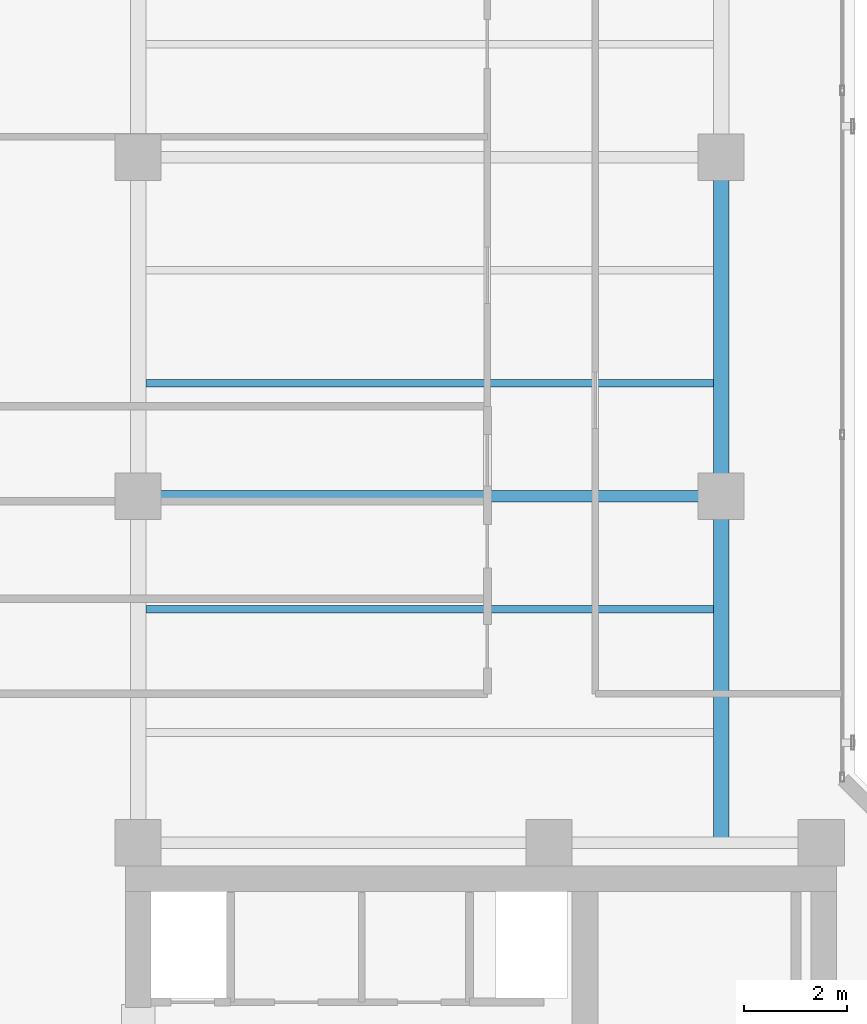
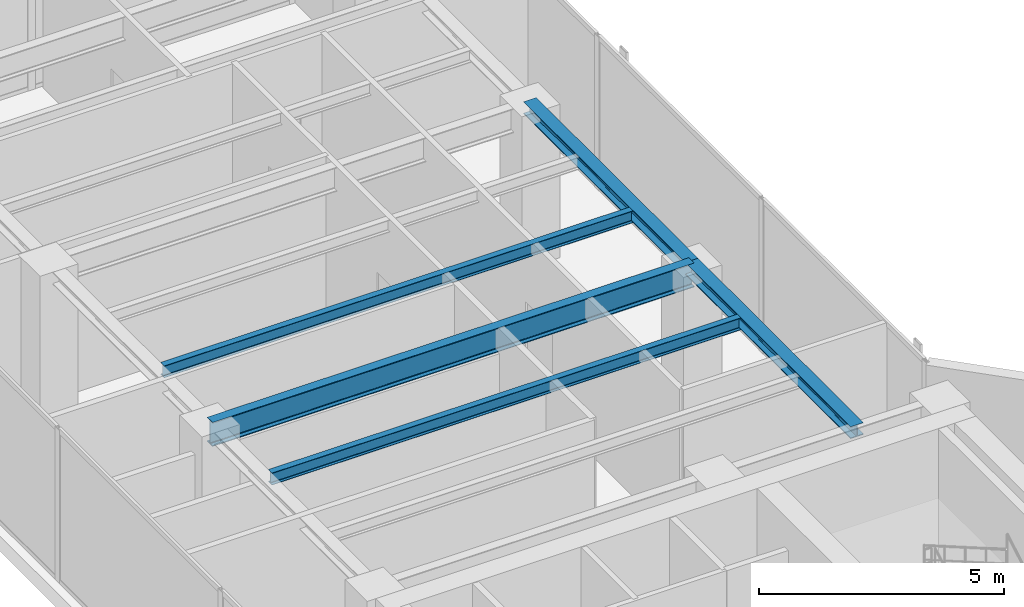
# One storey, part 12 of 32: 5 beams.
"""IFC4 building model written with IfcOpenShell, lengths in metres."""

from ifc_helpers import new_model, si_unit, direction, frame, origin, origin_2d, place, context, subcontext, project, spatial, i_section, extrude, material, material_profile, profile_set, type_object, element, save


model = new_model("IFC4")

# Units and contexts
model_context = context("Model", 3, precision=1e-05, world=origin(), true_north=direction((0.0, 1.0)))
body_context = subcontext(model_context, "Body", "Model", "MODEL_VIEW")
ifc_project = project(units=[si_unit("LENGTHUNIT", "METRE"), si_unit("AREAUNIT", "SQUARE_METRE"), si_unit("VOLUMEUNIT", "CUBIC_METRE"), si_unit("PLANEANGLEUNIT", "RADIAN"), si_unit("MASSUNIT", "GRAM", prefix="KILO")], contexts=[model_context])

# Site, building, storey
site_placement = place(None, origin())
site = spatial("IfcSite", under=ifc_project, at=site_placement, CompositionType="ELEMENT")
building_placement = place(site_placement, origin())
building = spatial("IfcBuilding", under=site, at=building_placement, Name="Kolvaren Waterfront Exchange", CompositionType="ELEMENT")
storey_placement = place(building_placement, frame((0.0, 0.0, 352.0)))
storey = spatial("IfcBuildingStorey", under=building, at=storey_placement, Name="L90", CompositionType="ELEMENT", Elevation=352.0)

# Beams
ifc_material = material(Name="Steel S355", Category="steel")
ifc_material_profile_1 = material_profile(ifc_material, i_section(OverallWidth=0.300048828125, OverallDepth=0.300048828125, WebThickness=0.010986328125, FlangeThickness=0.01904296875, FilletRadius=0.027099609375, at=origin_2d()), Name="HEB300")
ifc_profile_set_1 = profile_set([ifc_material_profile_1], Name="Steel S355")
beam_type_1 = type_object("IfcBeamType", Name="STR-BM-HEB300", PredefinedType="SPANDREL", material=ifc_profile_set_1)
beam_1_placement = place(storey_placement, frame((18.800048828125, 24.449951171875, 3.669921875), z_axis=(0.0, 1.0, 0.0), x_axis=(-1.0, 0.0, 0.0)))
element("IfcBeam", 1, at=beam_1_placement, inside=storey, type_object=beam_type_1, Name="L90 north-arm edge beam 1", PredefinedType="SPANDREL", context=body_context, shape_type="SweptSolid", body=[
    extrude(i_section(OverallWidth=0.300048828125, OverallDepth=0.300048828125, WebThickness=0.010986328125, FlangeThickness=0.01904296875, FilletRadius=0.027099609375, at=origin_2d()), origin(), (0.0, 0.0, 1.0), 6.75),
])
beam_2_placement = place(storey_placement, frame((18.800048828125, 31.199951171875, 3.669921875), z_axis=(0.0, 1.0, 0.0), x_axis=(-1.0, 0.0, 0.0)))
element("IfcBeam", 2, at=beam_2_placement, inside=storey, type_object=beam_type_1, Name="L90 north-arm edge beam 2", PredefinedType="SPANDREL", context=body_context, shape_type="SweptSolid", body=[
    extrude(i_section(OverallWidth=0.300048828125, OverallDepth=0.300048828125, WebThickness=0.010986328125, FlangeThickness=0.01904296875, FilletRadius=0.027099609375, at=origin_2d()), origin(), (0.0, 0.0, 1.0), 6.60009765625),
])
ifc_material_profile_2 = material_profile(ifc_material, i_section(OverallWidth=0.14990234375, OverallDepth=0.300048828125, WebThickness=0.007080078125, FlangeThickness=0.0107421875, FilletRadius=0.014892578125, at=origin_2d()), Name="IPE300")
ifc_profile_set_2 = profile_set([ifc_material_profile_2], Name="Steel S355")
beam_type_2 = type_object("IfcBeamType", Name="STR-BM-IPE300", PredefinedType="JOIST", material=ifc_profile_set_2)
for number, where, z_axis, x_axis, name in (
    (3, (7.60205078125, 29.0, 3.669921875), (1.0, 0.0, 0.0), (0.0, 1.0, 0.0), "L90 north-arm composite joist 2"),
    (4, (7.60205078125, 33.39990234375, 3.669921875), (1.0, 0.0, 0.0), (0.0, 1.0, 0.0), "L90 north-arm composite joist 3"),
):
    element("IfcBeam", number, at=place(storey_placement, frame(where, z_axis=z_axis, x_axis=x_axis)), inside=storey, type_object=beam_type_2, Name=name, PredefinedType="JOIST", context=body_context, shape_type="SweptSolid", body=[
        extrude(i_section(OverallWidth=0.14990234375, OverallDepth=0.300048828125, WebThickness=0.007080078125, FlangeThickness=0.0107421875, FilletRadius=0.014892578125, at=origin_2d()), origin(), (0.0, 0.0, 1.0), 11.0458984375),
    ])
ifc_material_profile_3 = material_profile(ifc_material, i_section(OverallWidth=0.219970703125, OverallDepth=0.60009765625, WebThickness=0.011962890625, FlangeThickness=0.01904296875, FilletRadius=0.02392578125, at=origin_2d()), Name="IPE600")
ifc_profile_set_3 = profile_set([ifc_material_profile_3], Name="Steel S355")
beam_type_3 = type_object("IfcBeamType", Name="STR-BM-IPE600", PredefinedType="BEAM", material=ifc_profile_set_3)
beam_3_placement = place(storey_placement, frame((7.449951171875, 31.199951171875, 3.52001953125), z_axis=(1.0, 0.0, 0.0), x_axis=(0.0, 1.0, 0.0)))
element("IfcBeam", 5, at=beam_3_placement, inside=storey, type_object=beam_type_3, Name="L90 north-arm girder 2", PredefinedType="BEAM", context=body_context, shape_type="SweptSolid", body=[
    extrude(i_section(OverallWidth=0.219970703125, OverallDepth=0.60009765625, WebThickness=0.011962890625, FlangeThickness=0.01904296875, FilletRadius=0.02392578125, at=origin_2d()), origin(), (0.0, 0.0, 1.0), 11.35009765625),
])

save(model, "model.ifc")
